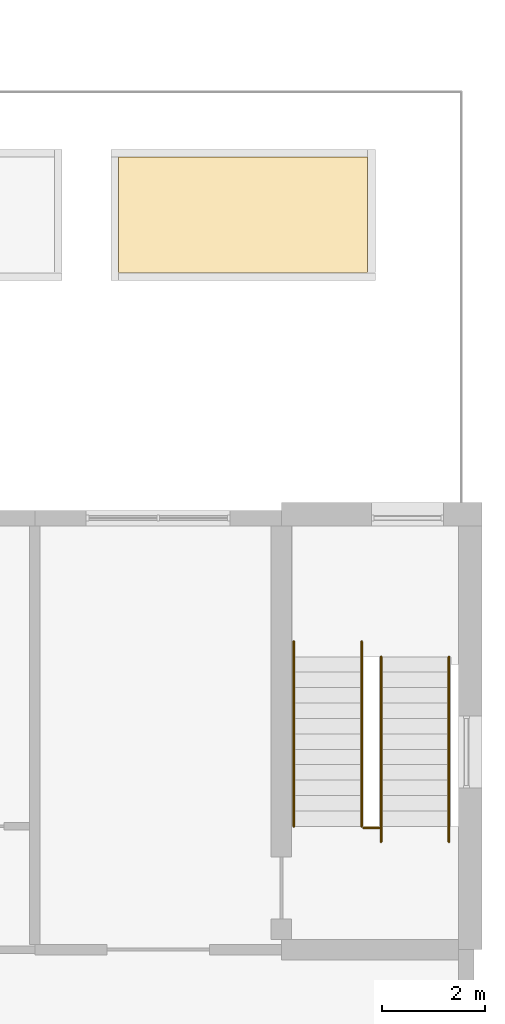
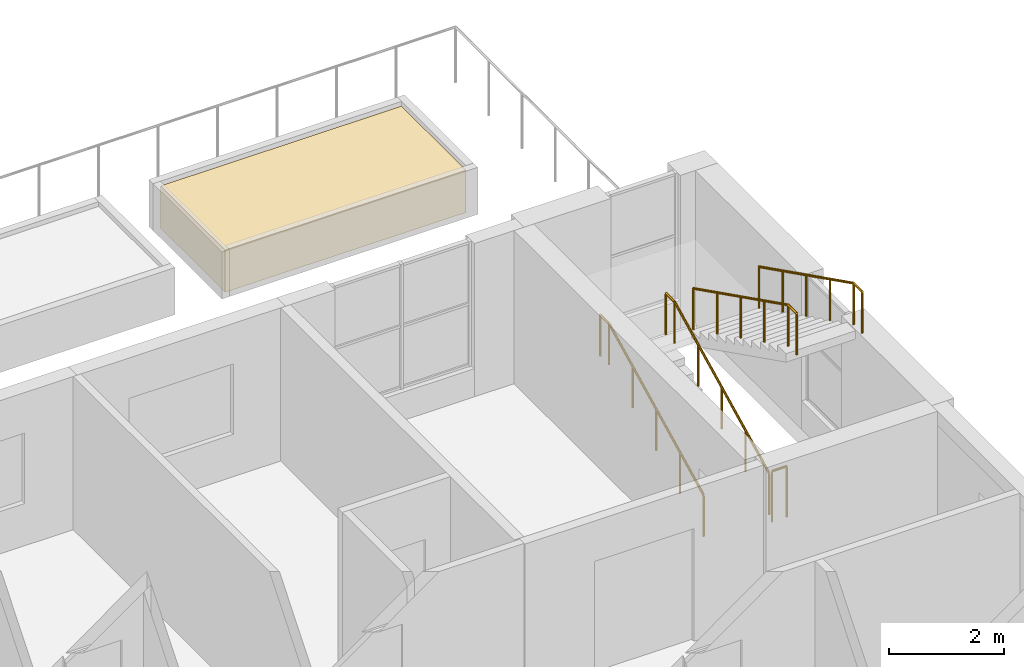
# One storey, part 61 of 61: 5 railings, 1 covering.
"""IFC4 building model written with IfcOpenShell, lengths in metres."""

from ifc_helpers import new_model, si_unit, direction, frame, origin, origin_2d, place, context, subcontext, project, spatial, polyline, circle, outline, extrude, material, layer, layer_set, type_object, element, save


model = new_model("IFC4")

# Units and contexts
model_context = context("Model", 3, precision=1e-05, world=origin(), true_north=direction((0.0, 1.0)))
body_context = subcontext(model_context, "Body", "Model", "MODEL_VIEW")
ifc_project = project(units=[si_unit("LENGTHUNIT", "METRE"), si_unit("AREAUNIT", "SQUARE_METRE"), si_unit("VOLUMEUNIT", "CUBIC_METRE"), si_unit("PLANEANGLEUNIT", "RADIAN"), si_unit("MASSUNIT", "GRAM", prefix="KILO")], contexts=[model_context])

# Site, building, storey
site_placement = place(None, origin())
site = spatial("IfcSite", under=ifc_project, at=site_placement, CompositionType="ELEMENT")
building_placement = place(site_placement, origin())
building = spatial("IfcBuilding", under=site, at=building_placement, Name="Yavir Park General Hospital", CompositionType="ELEMENT")
storey_placement = place(building_placement, frame((0.0, 0.0, 15.300048828125)))
storey = spatial("IfcBuildingStorey", under=building, at=storey_placement, Name="L03", CompositionType="ELEMENT", Elevation=15.300048828125)

# Covering
ifc_material_1 = material(Name="Green roof substrate")
ifc_layer = layer(ifc_material_1, 0.89990234375)
ifc_layer_set = layer_set([ifc_layer], Name="Green roof substrate")
covering_type = type_object("IfcCoveringType", Name="Green roof substrate 900", PredefinedType="FLOORING", material=ifc_layer_set)
covering_placement = place(storey_placement, origin())
element("IfcCovering", 1, at=covering_placement, inside=storey, type_object=covering_type, Name="Planting bed substrate 23", PredefinedType="FLOORING", context=body_context, shape_type="SweptSolid", body=[
    extrude(outline(polyline([(161.227294921875, 29.97509765625), (166.0771484375, 29.97509765625), (166.0771484375, 32.22509765625), (161.227294921875, 32.22509765625), (161.227294921875, 29.97509765625)])), origin(), (0.0, 0.0, 1.0), 0.89990234375),
])

# Railings
ifc_material_2 = material(Name="Steel balustrade with infill rods", Category="steel")
railing_type_1 = type_object("IfcRailingType", Name="Stair guard, steel balustrade 1100 mm", PredefinedType="GUARDRAIL", material=ifc_material_2)
railing_placement = place(storey_placement, frame((166.0, 19.169921875, 0.0)))
element("IfcRailing", 2, at=railing_placement, inside=storey, type_object=railing_type_1, Name="Stair well guard SU6 L03", PredefinedType="GUARDRAIL", context=body_context, shape_type="SweptSolid", body=[
    extrude(circle(Radius=0.02392578125, at=origin_2d()), frame((0.0, 0.0, 1.076171875), z_axis=(1.0, 0.0, 0.0), x_axis=(0.0, 1.0, 0.0)), (0.0, 0.0, 1.0), 0.300048828125),
    extrude(circle(Radius=0.02099609375, at=origin_2d()), origin(), (0.0, 0.0, 1.0), 1.052001953125),
    extrude(circle(Radius=0.02099609375, at=origin_2d()), frame((0.300048828125, 0.0, 0.0)), (0.0, 0.0, 1.0), 1.052001953125),
])
ifc_material_3 = material(Name="Stainless steel tube 48 mm", Category="steel")
railing_type_2 = type_object("IfcRailingType", Name="Stair handrail, steel tube, 900 mm above the nosings", PredefinedType="HANDRAIL", material=ifc_material_3)
for number, where, name in (
    (3, (164.639892578125, 19.199951171875, 0.14990234375), "Handrail SU6 L03 1"),
    (4, (165.9599609375, 19.199951171875, 0.14990234375), "Handrail SU6 L03 2"),
):
    element("IfcRailing", number, at=place(storey_placement, frame(where)), inside=storey, type_object=railing_type_2, Name=name, PredefinedType="HANDRAIL", context=body_context, shape_type="SweptSolid", body=[
        extrude(circle(Radius=0.02392578125, at=origin_2d()), frame((0.0, 0.0, 0.8759765625), z_axis=(0.0, 0.894413956696, 0.447240063129), x_axis=(-1.0, 0.0, 0.0)), (0.0, 0.0, 1.0), 3.689697265625),
        extrude(circle(Radius=0.02392578125, at=origin_2d()), frame((0.0, 3.300048828125, 2.52587890625), z_axis=(0.0, 1.0, 0.0), x_axis=(-1.0, 0.0, 0.0)), (0.0, 0.0, 1.0), 0.300048828125),
        extrude(circle(Radius=0.02099609375, at=origin_2d()), origin(), (0.0, 0.0, 1.0), 0.851806640625),
        extrude(circle(Radius=0.02099609375, at=origin_2d()), frame((0.0, 0.824951171875, 0.41259765625)), (0.0, 0.0, 1.0), 0.851806640625),
        extrude(circle(Radius=0.02099609375, at=origin_2d()), frame((0.0, 1.64990234375, 0.8251953125)), (0.0, 0.0, 1.0), 0.851806640625),
        extrude(circle(Radius=0.02099609375, at=origin_2d()), frame((0.0, 2.47509765625, 1.237548828125)), (0.0, 0.0, 1.0), 0.851806640625),
        extrude(circle(Radius=0.02099609375, at=origin_2d()), frame((0.0, 3.300048828125, 1.650146484375)), (0.0, 0.0, 1.0), 0.851806640625),
        extrude(circle(Radius=0.02099609375, at=origin_2d()), frame((0.0, 3.60009765625, 1.650146484375)), (0.0, 0.0, 1.0), 0.851806640625),
    ])
for number, where, name in (
    (5, (167.659912109375, 22.5, 1.949951171875), "Handrail SU6 L03 3"),
    (6, (166.340087890625, 22.5, 1.949951171875), "Handrail SU6 L03 4"),
):
    element("IfcRailing", number, at=place(storey_placement, frame(where)), inside=storey, type_object=railing_type_2, Name=name, PredefinedType="HANDRAIL", context=body_context, shape_type="SweptSolid", body=[
        extrude(circle(Radius=0.02392578125, at=origin_2d()), frame((0.0, 0.0, 0.8759765625), z_axis=(0.0, -0.894440424912, 0.447187126696), x_axis=(1.0, 0.0, 0.0)), (0.0, 0.0, 1.0), 3.689453125),
        extrude(circle(Radius=0.02392578125, at=origin_2d()), frame((0.0, -3.300048828125, 2.52587890625), z_axis=(0.0, -1.0, 0.0), x_axis=(1.0, 0.0, 0.0)), (0.0, 0.0, 1.0), 0.300048828125),
        extrude(circle(Radius=0.02099609375, at=origin_2d()), origin(), (0.0, 0.0, 1.0), 0.851806640625),
        extrude(circle(Radius=0.02099609375, at=origin_2d()), frame((0.0, -0.824951171875, 0.41259765625)), (0.0, 0.0, 1.0), 0.851806640625),
        extrude(circle(Radius=0.02099609375, at=origin_2d()), frame((0.0, -1.64990234375, 0.824951171875)), (0.0, 0.0, 1.0), 0.851806640625),
        extrude(circle(Radius=0.02099609375, at=origin_2d()), frame((0.0, -2.47509765625, 1.2373046875)), (0.0, 0.0, 1.0), 0.851806640625),
        extrude(circle(Radius=0.02099609375, at=origin_2d()), frame((0.0, -3.300048828125, 1.64990234375)), (0.0, 0.0, 1.0), 0.851806640625),
        extrude(circle(Radius=0.02099609375, at=origin_2d()), frame((0.0, -3.60009765625, 1.64990234375)), (0.0, 0.0, 1.0), 0.851806640625),
    ])

save(model, "model.ifc")
